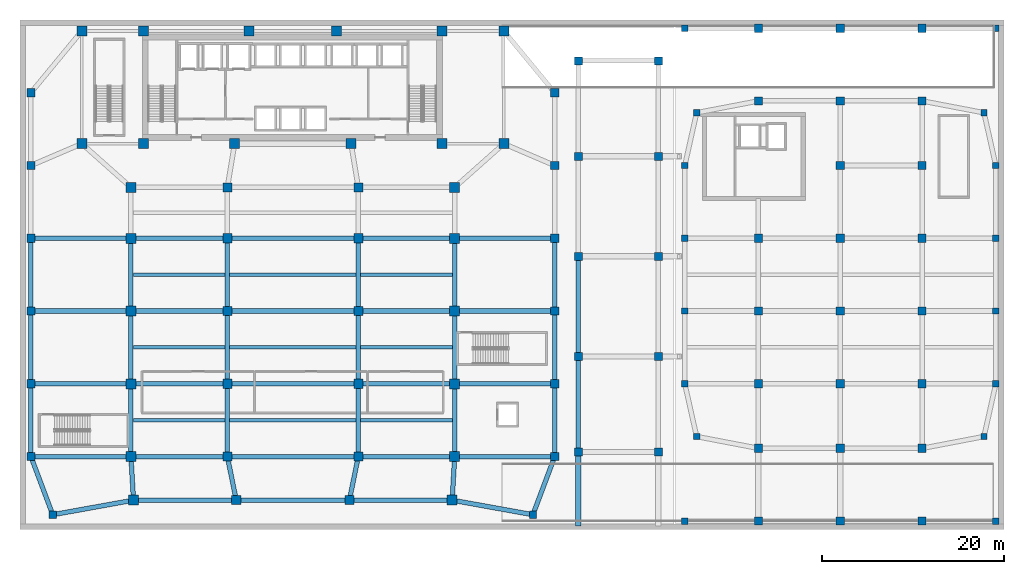
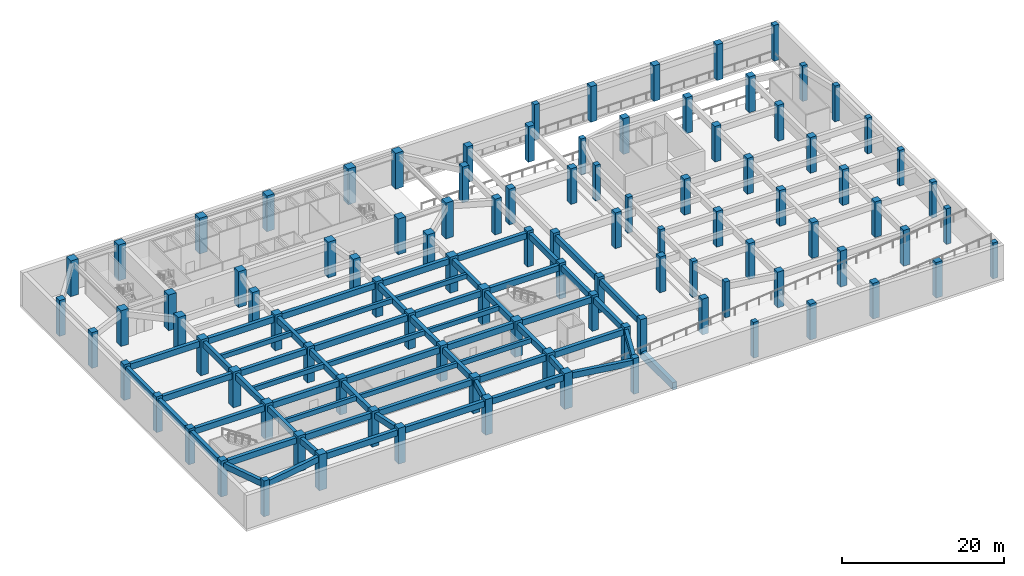
# One storey, part 1 of 14: 99 columns, 61 beams.
"""IFC4 building model written with IfcOpenShell, lengths in metres."""

from ifc_helpers import new_model, si_unit, direction, frame, origin, origin_2d, place, context, subcontext, project, spatial, rectangle, extrude, material, material_profile, profile_set, type_object, element, save


model = new_model("IFC4")

# Units and contexts
model_context = context("Model", 3, precision=1e-05, world=origin(), true_north=direction((0.0, 1.0)))
body_context = subcontext(model_context, "Body", "Model", "MODEL_VIEW")
ifc_project = project(units=[si_unit("LENGTHUNIT", "METRE"), si_unit("AREAUNIT", "SQUARE_METRE"), si_unit("VOLUMEUNIT", "CUBIC_METRE"), si_unit("PLANEANGLEUNIT", "RADIAN"), si_unit("MASSUNIT", "GRAM", prefix="KILO")], contexts=[model_context])

# Site, building, storey
site_placement = place(None, origin())
site = spatial("IfcSite", under=ifc_project, at=site_placement, CompositionType="ELEMENT")
building_placement = place(site_placement, origin())
building = spatial("IfcBuilding", under=site, at=building_placement, Name="Saevonmaru Cultural Tower", CompositionType="ELEMENT")
storey_placement = place(building_placement, frame((0.0, 0.0, -5.39990234375)))
storey = spatial("IfcBuildingStorey", under=building, at=storey_placement, Name="B1", CompositionType="ELEMENT", Elevation=-5.39990234375)

# Columns
ifc_material_1 = material(Name="Concrete C60/75", Category="concrete")
ifc_material_profile_1 = material_profile(ifc_material_1, rectangle(XDim=1.0, YDim=1.0, at=origin_2d()), Name="RC-COL-1000x1000")
ifc_profile_set_1 = profile_set([ifc_material_profile_1], Name="Concrete C60/75")
column_type_1 = type_object("IfcColumnType", Name="COL-RC-1000", PredefinedType="COLUMN", material=ifc_profile_set_1)
for number, where, z_axis, x_axis, name in (
    (1, (23.780029296875, 3.199951171875, 0.0), (0.0, 0.0, 1.0), (1.0, 0.0, 0.0), "B1 Column PC-W2-A"),
    (2, (36.219970703125, 3.199951171875, 0.0), (0.0, 0.0, 1.0), (1.0, 0.0, 0.0), "B1 Column PC-E2-A"),
    (3, (22.800048828125, 8.0, 0.0), (0.0, 0.0, 1.0), (1.0, 0.0, 0.0), "B1 Column PC-W2-B"),
    (4, (37.199951171875, 8.0, 0.0), (0.0, 0.0, 1.0), (1.0, 0.0, 0.0), "B1 Column PC-E2-B"),
    (5, (22.800048828125, 16.0, 0.0), (0.0, 0.0, 1.0), (1.0, 0.0, 0.0), "B1 Column PC-W2-C"),
    (6, (37.199951171875, 16.0, 0.0), (0.0, 0.0, 1.0), (1.0, 0.0, 0.0), "B1 Column PC-E2-C"),
    (7, (22.800048828125, 24.0, 0.0), (0.0, 0.0, 1.0), (1.0, 0.0, 0.0), "B1 Column PC-W2-D"),
    (8, (37.199951171875, 24.0, 0.0), (0.0, 0.0, 1.0), (1.0, 0.0, 0.0), "B1 Column PC-E2-D"),
    (9, (22.800048828125, 32.0, 0.0), (0.0, 0.0, 1.0), (1.0, 0.0, 0.0), "B1 Column PC-W2-E"),
    (10, (37.199951171875, 32.0, 0.0), (0.0, 0.0, 1.0), (1.0, 0.0, 0.0), "B1 Column PC-E2-E"),
    (11, (22.800048828125, 37.60009765625, 0.0), (0.0, 0.0, 1.0), (1.0, 0.0, 0.0), "B1 Column PC-W2-F"),
    (12, (37.199951171875, 37.60009765625, 0.0), (0.0, 0.0, 1.0), (1.0, 0.0, 0.0), "B1 Column PC-E2-F"),
):
    element("IfcColumn", number, at=place(storey_placement, frame(where, z_axis=z_axis, x_axis=x_axis)), inside=storey, type_object=column_type_1, Name=name, PredefinedType="COLUMN", context=body_context, shape_type="SweptSolid", body=[
        extrude(rectangle(XDim=1.0, YDim=1.0, at=origin_2d()), origin(), (0.0, 0.0, 1.0), 5.39990234375),
    ])
ifc_material_profile_2 = material_profile(ifc_material_1, rectangle(XDim=1.10009765625, YDim=1.10009765625, at=origin_2d()), Name="RC-COL-1100x1100")
ifc_profile_set_2 = profile_set([ifc_material_profile_2], Name="Concrete C60/75")
column_type_2 = type_object("IfcColumnType", Name="COL-RC-1100", PredefinedType="COLUMN", material=ifc_profile_set_2)
for number, where, z_axis, x_axis, name in (
    (13, (6.800048828125, 54.800048828125, 0.0), (0.0, 0.0, 1.0), (1.0, 0.0, 0.0), "B1 Column TC-N1N"),
    (14, (13.60009765625, 54.800048828125, 0.0), (0.0, 0.0, 1.0), (1.0, 0.0, 0.0), "B1 Column TC-N2N"),
    (15, (25.199951171875, 54.800048828125, 0.0), (0.0, 0.0, 1.0), (1.0, 0.0, 0.0), "B1 Column TC-N3N"),
    (16, (34.800048828125, 54.800048828125, 0.0), (0.0, 0.0, 1.0), (1.0, 0.0, 0.0), "B1 Column TC-N4N"),
    (17, (46.39990234375, 54.800048828125, 0.0), (0.0, 0.0, 1.0), (1.0, 0.0, 0.0), "B1 Column TC-N5N"),
    (18, (53.199951171875, 54.800048828125, 0.0), (0.0, 0.0, 1.0), (1.0, 0.0, 0.0), "B1 Column TC-N6N"),
    (19, (6.800048828125, 42.39990234375, 0.0), (0.0, 0.0, 1.0), (1.0, 0.0, 0.0), "B1 Column TC-S1C"),
    (20, (13.60009765625, 42.39990234375, 0.0), (0.0, 0.0, 1.0), (1.0, 0.0, 0.0), "B1 Column TC-S2C"),
    (21, (23.60009765625, 42.39990234375, 0.0), (0.0, 0.0, 1.0), (1.0, 0.0, 0.0), "B1 Column TC-S3C"),
    (22, (36.39990234375, 42.39990234375, 0.0), (0.0, 0.0, 1.0), (1.0, 0.0, 0.0), "B1 Column TC-S4C"),
    (23, (46.39990234375, 42.39990234375, 0.0), (0.0, 0.0, 1.0), (1.0, 0.0, 0.0), "B1 Column TC-S5C"),
    (24, (53.199951171875, 42.39990234375, 0.0), (0.0, 0.0, 1.0), (1.0, 0.0, 0.0), "B1 Column TC-S6C"),
    (25, (12.47998046875, 3.199951171875, 0.0), (0.0, 0.0, 1.0), (1.0, 0.0, 0.0), "B1 Column PC-W1-A"),
    (26, (47.52001953125, 3.199951171875, 0.0), (0.0, 0.0, 1.0), (1.0, 0.0, 0.0), "B1 Column PC-E1-A"),
    (27, (12.199951171875, 8.0, 0.0), (0.0, 0.0, 1.0), (1.0, 0.0, 0.0), "B1 Column PC-W1-B"),
    (28, (47.800048828125, 8.0, 0.0), (0.0, 0.0, 1.0), (1.0, 0.0, 0.0), "B1 Column PC-E1-B"),
    (29, (12.199951171875, 16.0, 0.0), (0.0, 0.0, 1.0), (1.0, 0.0, 0.0), "B1 Column PC-W1-C"),
    (30, (47.800048828125, 16.0, 0.0), (0.0, 0.0, 1.0), (1.0, 0.0, 0.0), "B1 Column PC-E1-C"),
    (31, (12.199951171875, 24.0, 0.0), (0.0, 0.0, 1.0), (1.0, 0.0, 0.0), "B1 Column PC-W1-D"),
    (32, (47.800048828125, 24.0, 0.0), (0.0, 0.0, 1.0), (1.0, 0.0, 0.0), "B1 Column PC-E1-D"),
    (33, (12.199951171875, 32.0, 0.0), (0.0, 0.0, 1.0), (1.0, 0.0, 0.0), "B1 Column PC-W1-E"),
    (34, (47.800048828125, 32.0, 0.0), (0.0, 0.0, 1.0), (1.0, 0.0, 0.0), "B1 Column PC-E1-E"),
    (35, (12.199951171875, 37.60009765625, 0.0), (0.0, 0.0, 1.0), (1.0, 0.0, 0.0), "B1 Column PC-W1-F"),
    (36, (47.800048828125, 37.60009765625, 0.0), (0.0, 0.0, 1.0), (1.0, 0.0, 0.0), "B1 Column PC-E1-F"),
):
    element("IfcColumn", number, at=place(storey_placement, frame(where, z_axis=z_axis, x_axis=x_axis)), inside=storey, type_object=column_type_2, Name=name, PredefinedType="COLUMN", context=body_context, shape_type="SweptSolid", body=[
        extrude(rectangle(XDim=1.10009765625, YDim=1.10009765625, at=origin_2d()), origin(), (0.0, 0.0, 1.0), 5.39990234375),
    ])
ifc_material_2 = material(Name="Concrete C50/60", Category="concrete")
ifc_material_profile_3 = material_profile(ifc_material_2, rectangle(XDim=0.699951171875, YDim=0.699951171875, at=origin_2d()), Name="RC-COL-700x700")
ifc_profile_set_3 = profile_set([ifc_material_profile_3], Name="Concrete C50/60")
column_type_3 = type_object("IfcColumnType", Name="COL-RC-700", PredefinedType="COLUMN", material=ifc_profile_set_3)
for number, where, z_axis, x_axis, name in (
    (37, (73.10009765625, 0.89990234375, 0.0), (0.0, 0.0, 1.0), (1.0, 0.0, 0.0), "B1 Column LC-9-A"),
    (38, (74.39990234375, 10.199951171875, 0.0), (0.0, 0.0, 1.0), (1.0, 0.0, 0.0), "B1 Column LC-9-B"),
    (39, (73.10009765625, 16.0, 0.0), (0.0, 0.0, 1.0), (1.0, 0.0, 0.0), "B1 Column LC-9-C"),
    (40, (73.10009765625, 24.0, 0.0), (0.0, 0.0, 1.0), (1.0, 0.0, 0.0), "B1 Column LC-9-D"),
    (41, (73.10009765625, 32.0, 0.0), (0.0, 0.0, 1.0), (1.0, 0.0, 0.0), "B1 Column LC-9-E"),
    (42, (73.10009765625, 40.0, 0.0), (0.0, 0.0, 1.0), (1.0, 0.0, 0.0), "B1 Column LC-9-F"),
    (43, (74.39990234375, 45.800048828125, 0.0), (0.0, 0.0, 1.0), (1.0, 0.0, 0.0), "B1 Column LC-9-G"),
    (44, (73.10009765625, 55.10009765625, 0.0), (0.0, 0.0, 1.0), (1.0, 0.0, 0.0), "B1 Column LC-9-H"),
    (45, (107.300048828125, 0.89990234375, 0.0), (0.0, 0.0, 1.0), (1.0, 0.0, 0.0), "B1 Column LC-13-A"),
    (46, (106.0, 10.199951171875, 0.0), (0.0, 0.0, 1.0), (1.0, 0.0, 0.0), "B1 Column LC-13-B"),
    (47, (107.300048828125, 16.0, 0.0), (0.0, 0.0, 1.0), (1.0, 0.0, 0.0), "B1 Column LC-13-C"),
    (48, (107.300048828125, 24.0, 0.0), (0.0, 0.0, 1.0), (1.0, 0.0, 0.0), "B1 Column LC-13-D"),
    (49, (107.300048828125, 32.0, 0.0), (0.0, 0.0, 1.0), (1.0, 0.0, 0.0), "B1 Column LC-13-E"),
    (50, (107.300048828125, 40.0, 0.0), (0.0, 0.0, 1.0), (1.0, 0.0, 0.0), "B1 Column LC-13-F"),
    (51, (106.0, 45.800048828125, 0.0), (0.0, 0.0, 1.0), (1.0, 0.0, 0.0), "B1 Column LC-13-G"),
    (52, (107.300048828125, 55.10009765625, 0.0), (0.0, 0.0, 1.0), (1.0, 0.0, 0.0), "B1 Column LC-13-H"),
):
    element("IfcColumn", number, at=place(storey_placement, frame(where, z_axis=z_axis, x_axis=x_axis)), inside=storey, type_object=column_type_3, Name=name, PredefinedType="COLUMN", context=body_context, shape_type="SweptSolid", body=[
        extrude(rectangle(XDim=0.699951171875, YDim=0.699951171875, at=origin_2d()), origin(), (0.0, 0.0, 1.0), 5.39990234375),
    ])
ifc_material_profile_4 = material_profile(ifc_material_2, rectangle(XDim=0.800048828125, YDim=0.800048828125, at=origin_2d()), Name="RC-COL-800x800")
ifc_profile_set_4 = profile_set([ifc_material_profile_4], Name="Concrete C50/60")
column_type_4 = type_object("IfcColumnType", Name="COL-RC-800", PredefinedType="COLUMN", material=ifc_profile_set_4)
for number, where, z_axis, x_axis, name in (
    (53, (3.60009765625, 1.60009765625, 0.0), (0.0, 0.0, 1.0), (1.0, 0.0, 0.0), "B1 Column PC-PS-SW"),
    (54, (56.39990234375, 1.60009765625, 0.0), (0.0, 0.0, 1.0), (1.0, 0.0, 0.0), "B1 Column PC-PS-SE"),
):
    element("IfcColumn", number, at=place(storey_placement, frame(where, z_axis=z_axis, x_axis=x_axis)), inside=storey, type_object=column_type_4, Name=name, PredefinedType="COLUMN", context=body_context, shape_type="SweptSolid", body=[
        extrude(rectangle(XDim=0.800048828125, YDim=0.800048828125, at=origin_2d()), origin(), (0.0, 0.0, 1.0), 5.39990234375),
    ])
ifc_material_profile_5 = material_profile(ifc_material_2, rectangle(XDim=0.89990234375, YDim=0.89990234375, at=origin_2d()), Name="RC-COL-900x900")
ifc_profile_set_5 = profile_set([ifc_material_profile_5], Name="Concrete C50/60")
column_type_5 = type_object("IfcColumnType", Name="COL-RC-900", PredefinedType="COLUMN", material=ifc_profile_set_5)
for number, where, z_axis, x_axis, name in (
    (55, (1.199951171875, 8.0, 0.0), (0.0, 0.0, 1.0), (1.0, 0.0, 0.0), "B1 Column PC-PW-B"),
    (56, (58.800048828125, 8.0, 0.0), (0.0, 0.0, 1.0), (1.0, 0.0, 0.0), "B1 Column PC-PE-B"),
    (57, (1.199951171875, 16.0, 0.0), (0.0, 0.0, 1.0), (1.0, 0.0, 0.0), "B1 Column PC-PW-C"),
    (58, (58.800048828125, 16.0, 0.0), (0.0, 0.0, 1.0), (1.0, 0.0, 0.0), "B1 Column PC-PE-C"),
    (59, (1.199951171875, 24.0, 0.0), (0.0, 0.0, 1.0), (1.0, 0.0, 0.0), "B1 Column PC-PW-D"),
    (60, (58.800048828125, 24.0, 0.0), (0.0, 0.0, 1.0), (1.0, 0.0, 0.0), "B1 Column PC-PE-D"),
    (61, (1.199951171875, 32.0, 0.0), (0.0, 0.0, 1.0), (1.0, 0.0, 0.0), "B1 Column PC-PW-E"),
    (62, (58.800048828125, 32.0, 0.0), (0.0, 0.0, 1.0), (1.0, 0.0, 0.0), "B1 Column PC-PE-E"),
    (63, (1.199951171875, 40.0, 0.0), (0.0, 0.0, 1.0), (1.0, 0.0, 0.0), "B1 Column PC-PW-F"),
    (64, (58.800048828125, 40.0, 0.0), (0.0, 0.0, 1.0), (1.0, 0.0, 0.0), "B1 Column PC-PE-F"),
    (65, (1.199951171875, 48.0, 0.0), (0.0, 0.0, 1.0), (1.0, 0.0, 0.0), "B1 Column PC-PW-G"),
    (66, (58.800048828125, 48.0, 0.0), (0.0, 0.0, 1.0), (1.0, 0.0, 0.0), "B1 Column PC-PE-G"),
    (67, (61.39990234375, 8.5, 0.0), (0.0, 0.0, 1.0), (1.0, 0.0, 0.0), "B1 Column SC-PLZW-B"),
    (68, (70.199951171875, 8.5, 0.0), (0.0, 0.0, 1.0), (1.0, 0.0, 0.0), "B1 Column SC-PLZE-B"),
    (69, (61.39990234375, 19.0, 0.0), (0.0, 0.0, 1.0), (1.0, 0.0, 0.0), "B1 Column SC-PLZW-C"),
    (70, (70.199951171875, 19.0, 0.0), (0.0, 0.0, 1.0), (1.0, 0.0, 0.0), "B1 Column SC-PLZE-C"),
    (71, (61.39990234375, 30.0, 0.0), (0.0, 0.0, 1.0), (1.0, 0.0, 0.0), "B1 Column SC-PLZW-D"),
    (72, (70.199951171875, 30.0, 0.0), (0.0, 0.0, 1.0), (1.0, 0.0, 0.0), "B1 Column SC-PLZE-D"),
    (73, (61.39990234375, 41.0, 0.0), (0.0, 0.0, 1.0), (1.0, 0.0, 0.0), "B1 Column SC-PLZW-E"),
    (74, (70.199951171875, 41.0, 0.0), (0.0, 0.0, 1.0), (1.0, 0.0, 0.0), "B1 Column SC-PLZE-E"),
    (75, (61.39990234375, 51.5, 0.0), (0.0, 0.0, 1.0), (1.0, 0.0, 0.0), "B1 Column SC-PLZW-F"),
    (76, (70.199951171875, 51.5, 0.0), (0.0, 0.0, 1.0), (1.0, 0.0, 0.0), "B1 Column SC-PLZE-F"),
    (77, (81.199951171875, 0.89990234375, 0.0), (0.0, 0.0, 1.0), (1.0, 0.0, 0.0), "B1 Column LC-10-A"),
    (78, (81.199951171875, 8.89990234375, 0.0), (0.0, 0.0, 1.0), (1.0, 0.0, 0.0), "B1 Column LC-10-B"),
    (79, (81.199951171875, 16.0, 0.0), (0.0, 0.0, 1.0), (1.0, 0.0, 0.0), "B1 Column LC-10-C"),
    (80, (81.199951171875, 24.0, 0.0), (0.0, 0.0, 1.0), (1.0, 0.0, 0.0), "B1 Column LC-10-D"),
    (81, (81.199951171875, 32.0, 0.0), (0.0, 0.0, 1.0), (1.0, 0.0, 0.0), "B1 Column LC-10-E"),
    (82, (81.199951171875, 47.10009765625, 0.0), (0.0, 0.0, 1.0), (1.0, 0.0, 0.0), "B1 Column LC-10-G"),
    (83, (81.199951171875, 55.10009765625, 0.0), (0.0, 0.0, 1.0), (1.0, 0.0, 0.0), "B1 Column LC-10-H"),
    (84, (90.199951171875, 0.89990234375, 0.0), (0.0, 0.0, 1.0), (1.0, 0.0, 0.0), "B1 Column LC-11-A"),
    (85, (90.199951171875, 8.89990234375, 0.0), (0.0, 0.0, 1.0), (1.0, 0.0, 0.0), "B1 Column LC-11-B"),
    (86, (90.199951171875, 16.0, 0.0), (0.0, 0.0, 1.0), (1.0, 0.0, 0.0), "B1 Column LC-11-C"),
    (87, (90.199951171875, 24.0, 0.0), (0.0, 0.0, 1.0), (1.0, 0.0, 0.0), "B1 Column LC-11-D"),
    (88, (90.199951171875, 32.0, 0.0), (0.0, 0.0, 1.0), (1.0, 0.0, 0.0), "B1 Column LC-11-E"),
    (89, (90.199951171875, 40.0, 0.0), (0.0, 0.0, 1.0), (1.0, 0.0, 0.0), "B1 Column LC-11-F"),
    (90, (90.199951171875, 47.10009765625, 0.0), (0.0, 0.0, 1.0), (1.0, 0.0, 0.0), "B1 Column LC-11-G"),
    (91, (90.199951171875, 55.10009765625, 0.0), (0.0, 0.0, 1.0), (1.0, 0.0, 0.0), "B1 Column LC-11-H"),
    (92, (99.199951171875, 0.89990234375, 0.0), (0.0, 0.0, 1.0), (1.0, 0.0, 0.0), "B1 Column LC-12-A"),
    (93, (99.199951171875, 8.89990234375, 0.0), (0.0, 0.0, 1.0), (1.0, 0.0, 0.0), "B1 Column LC-12-B"),
    (94, (99.199951171875, 16.0, 0.0), (0.0, 0.0, 1.0), (1.0, 0.0, 0.0), "B1 Column LC-12-C"),
    (95, (99.199951171875, 24.0, 0.0), (0.0, 0.0, 1.0), (1.0, 0.0, 0.0), "B1 Column LC-12-D"),
    (96, (99.199951171875, 32.0, 0.0), (0.0, 0.0, 1.0), (1.0, 0.0, 0.0), "B1 Column LC-12-E"),
    (97, (99.199951171875, 40.0, 0.0), (0.0, 0.0, 1.0), (1.0, 0.0, 0.0), "B1 Column LC-12-F"),
    (98, (99.199951171875, 47.10009765625, 0.0), (0.0, 0.0, 1.0), (1.0, 0.0, 0.0), "B1 Column LC-12-G"),
    (99, (99.199951171875, 55.10009765625, 0.0), (0.0, 0.0, 1.0), (1.0, 0.0, 0.0), "B1 Column LC-12-H"),
):
    element("IfcColumn", number, at=place(storey_placement, frame(where, z_axis=z_axis, x_axis=x_axis)), inside=storey, type_object=column_type_5, Name=name, PredefinedType="COLUMN", context=body_context, shape_type="SweptSolid", body=[
        extrude(rectangle(XDim=0.89990234375, YDim=0.89990234375, at=origin_2d()), origin(), (0.0, 0.0, 1.0), 5.39990234375),
    ])

# Beams
ifc_material_profile_6 = material_profile(ifc_material_1, rectangle(XDim=0.60009765625, YDim=1.10009765625, at=origin_2d()), Name="RC-CB-600x1100")
ifc_profile_set_6 = profile_set([ifc_material_profile_6], Name="Concrete C60/75")
beam_type_1 = type_object("IfcBeamType", Name="BM-CB-RC600x1100", PredefinedType="LINTEL", material=ifc_profile_set_6)
beam_1_placement = place(storey_placement, frame((61.39990234375, 0.360107421875, -0.06005859375), z_axis=(0.0, 1.0, 0.0), x_axis=(-1.0, 0.0, 0.0)))
element("IfcBeam", 100, at=beam_1_placement, inside=storey, type_object=beam_type_1, Name="B1 Vehicle Ramp VR-1 Transverse Support Girder 1", PredefinedType="LINTEL", context=body_context, shape_type="SweptSolid", body=[
    extrude(rectangle(XDim=0.60009765625, YDim=1.10009765625, at=origin_2d()), origin(), (0.0, 0.0, 1.0), 8.079833984375),
])
ifc_material_3 = material(Name="Concrete C40/50", Category="concrete")
ifc_material_profile_7 = material_profile(ifc_material_3, rectangle(XDim=0.39990234375, YDim=0.699951171875, at=origin_2d()), Name="RC-BM-400x700")
ifc_profile_set_7 = profile_set([ifc_material_profile_7], Name="Concrete C40/50")
beam_type_2 = type_object("IfcBeamType", Name="BM-RC-400x700", PredefinedType="BEAM", material=ifc_profile_set_7)
for number, where, z_axis, x_axis, name in (
    (101, (12.4580078125, 12.0, 4.699951171875), (1.0, 0.0, 0.0), (0.0, 1.0, 0.0), "B1 Secondary Floor Joist JW-1"),
    (102, (37.4580078125, 12.0, 4.699951171875), (1.0, 0.0, 0.0), (0.0, 1.0, 0.0), "B1 Secondary Floor Joist JE-1"),
):
    element("IfcBeam", number, at=place(storey_placement, frame(where, z_axis=z_axis, x_axis=x_axis)), inside=storey, type_object=beam_type_2, Name=name, PredefinedType="BEAM", context=body_context, shape_type="SweptSolid", body=[
        extrude(rectangle(XDim=0.39990234375, YDim=0.699951171875, at=origin_2d()), origin(), (0.0, 0.0, 1.0), 10.083984375),
    ])
beam_2_placement = place(storey_placement, frame((23.05810546875, 12.0, 4.699951171875), z_axis=(1.0, 0.0, 0.0), x_axis=(0.0, 1.0, 0.0)))
element("IfcBeam", 103, at=beam_2_placement, inside=storey, type_object=beam_type_2, Name="B1 Secondary Floor Joist JC-1", PredefinedType="BEAM", context=body_context, shape_type="SweptSolid", body=[
    extrude(rectangle(XDim=0.39990234375, YDim=0.699951171875, at=origin_2d()), origin(), (0.0, 0.0, 1.0), 13.8837890625),
])
for number, where, z_axis, x_axis, name in (
    (104, (12.4580078125, 20.0, 4.699951171875), (1.0, 0.0, 0.0), (0.0, 1.0, 0.0), "B1 Secondary Floor Joist JW-2"),
    (105, (37.4580078125, 20.0, 4.699951171875), (1.0, 0.0, 0.0), (0.0, 1.0, 0.0), "B1 Secondary Floor Joist JE-2"),
):
    element("IfcBeam", number, at=place(storey_placement, frame(where, z_axis=z_axis, x_axis=x_axis)), inside=storey, type_object=beam_type_2, Name=name, PredefinedType="BEAM", context=body_context, shape_type="SweptSolid", body=[
        extrude(rectangle(XDim=0.39990234375, YDim=0.699951171875, at=origin_2d()), origin(), (0.0, 0.0, 1.0), 10.083984375),
    ])
beam_3_placement = place(storey_placement, frame((23.05810546875, 20.0, 4.699951171875), z_axis=(1.0, 0.0, 0.0), x_axis=(0.0, 1.0, 0.0)))
element("IfcBeam", 106, at=beam_3_placement, inside=storey, type_object=beam_type_2, Name="B1 Secondary Floor Joist JC-2", PredefinedType="BEAM", context=body_context, shape_type="SweptSolid", body=[
    extrude(rectangle(XDim=0.39990234375, YDim=0.699951171875, at=origin_2d()), origin(), (0.0, 0.0, 1.0), 13.8837890625),
])
for number, where, z_axis, x_axis, name in (
    (107, (12.4580078125, 28.0, 4.699951171875), (1.0, 0.0, 0.0), (0.0, 1.0, 0.0), "B1 Secondary Floor Joist JW-3"),
    (108, (37.4580078125, 28.0, 4.699951171875), (1.0, 0.0, 0.0), (0.0, 1.0, 0.0), "B1 Secondary Floor Joist JE-3"),
):
    element("IfcBeam", number, at=place(storey_placement, frame(where, z_axis=z_axis, x_axis=x_axis)), inside=storey, type_object=beam_type_2, Name=name, PredefinedType="BEAM", context=body_context, shape_type="SweptSolid", body=[
        extrude(rectangle(XDim=0.39990234375, YDim=0.699951171875, at=origin_2d()), origin(), (0.0, 0.0, 1.0), 10.083984375),
    ])
beam_4_placement = place(storey_placement, frame((23.05810546875, 28.0, 4.699951171875), z_axis=(1.0, 0.0, 0.0), x_axis=(0.0, 1.0, 0.0)))
element("IfcBeam", 109, at=beam_4_placement, inside=storey, type_object=beam_type_2, Name="B1 Secondary Floor Joist JC-3", PredefinedType="BEAM", context=body_context, shape_type="SweptSolid", body=[
    extrude(rectangle(XDim=0.39990234375, YDim=0.699951171875, at=origin_2d()), origin(), (0.0, 0.0, 1.0), 13.8837890625),
])
ifc_material_profile_8 = material_profile(ifc_material_2, rectangle(XDim=0.5, YDim=0.89990234375, at=origin_2d()), Name="RC-BM-500x900")
ifc_profile_set_8 = profile_set([ifc_material_profile_8], Name="Concrete C50/60")
beam_type_3 = type_object("IfcBeamType", Name="BM-RC-500x900", PredefinedType="BEAM", material=ifc_profile_set_8)
beam_5_placement = place(storey_placement, frame((12.4765625, 3.260009765625, 4.599853515625), z_axis=(-0.058221363278, 0.998303697708, 0.0), x_axis=(-0.998303697708, -0.058221363278, 0.0)))
element("IfcBeam", 110, at=beam_5_placement, inside=storey, type_object=beam_type_3, Name="B1 Podium Girder NS1-1", PredefinedType="BEAM", context=body_context, shape_type="SweptSolid", body=[
    extrude(rectangle(XDim=0.5, YDim=0.89990234375, at=origin_2d()), origin(), (0.0, 0.0, 1.0), 4.688232421875),
])
for number, where, z_axis, x_axis, name in (
    (111, (12.199951171875, 8.06005859375, 4.599853515625), (0.0, 1.0, 0.0), (-1.0, 0.0, 0.0), "B1 Podium Girder NS1-2"),
    (112, (12.199951171875, 16.06005859375, 4.599853515625), (0.0, 1.0, 0.0), (-1.0, 0.0, 0.0), "B1 Podium Girder NS1-3"),
    (113, (12.199951171875, 24.06005859375, 4.599853515625), (0.0, 1.0, 0.0), (-1.0, 0.0, 0.0), "B1 Podium Girder NS1-4"),
):
    element("IfcBeam", number, at=place(storey_placement, frame(where, z_axis=z_axis, x_axis=x_axis)), inside=storey, type_object=beam_type_3, Name=name, PredefinedType="BEAM", context=body_context, shape_type="SweptSolid", body=[
        extrude(rectangle(XDim=0.5, YDim=0.89990234375, at=origin_2d()), origin(), (0.0, 0.0, 1.0), 7.8798828125),
    ])
beam_6_placement = place(storey_placement, frame((23.76806640625, 3.2587890625, 4.599853515625), z_axis=(-0.200054094908, 0.979784853481, 0.0), x_axis=(-0.979784853481, -0.200054094908, 0.0)))
element("IfcBeam", 114, at=beam_6_placement, inside=storey, type_object=beam_type_3, Name="B1 Podium Girder NS2-1", PredefinedType="BEAM", context=body_context, shape_type="SweptSolid", body=[
    extrude(rectangle(XDim=0.5, YDim=0.89990234375, at=origin_2d()), origin(), (0.0, 0.0, 1.0), 4.779052734375),
])
for number, where, z_axis, x_axis, name in (
    (115, (22.800048828125, 8.06005859375, 4.599853515625), (0.0, 1.0, 0.0), (-1.0, 0.0, 0.0), "B1 Podium Girder NS2-2"),
    (116, (22.800048828125, 16.06005859375, 4.599853515625), (0.0, 1.0, 0.0), (-1.0, 0.0, 0.0), "B1 Podium Girder NS2-3"),
    (117, (22.800048828125, 24.06005859375, 4.599853515625), (0.0, 1.0, 0.0), (-1.0, 0.0, 0.0), "B1 Podium Girder NS2-4"),
):
    element("IfcBeam", number, at=place(storey_placement, frame(where, z_axis=z_axis, x_axis=x_axis)), inside=storey, type_object=beam_type_3, Name=name, PredefinedType="BEAM", context=body_context, shape_type="SweptSolid", body=[
        extrude(rectangle(XDim=0.5, YDim=0.89990234375, at=origin_2d()), origin(), (0.0, 0.0, 1.0), 7.8798828125),
    ])
beam_7_placement = place(storey_placement, frame((36.23193359375, 3.2587890625, 4.599853515625), z_axis=(0.200054094908, 0.979784853481, 0.0), x_axis=(-0.979784853481, 0.200054094908, 0.0)))
element("IfcBeam", 118, at=beam_7_placement, inside=storey, type_object=beam_type_3, Name="B1 Podium Girder NS3-1", PredefinedType="BEAM", context=body_context, shape_type="SweptSolid", body=[
    extrude(rectangle(XDim=0.5, YDim=0.89990234375, at=origin_2d()), origin(), (0.0, 0.0, 1.0), 4.779052734375),
])
for number, where, z_axis, x_axis, name in (
    (119, (37.199951171875, 8.06005859375, 4.599853515625), (0.0, 1.0, 0.0), (-1.0, 0.0, 0.0), "B1 Podium Girder NS3-2"),
    (120, (37.199951171875, 16.06005859375, 4.599853515625), (0.0, 1.0, 0.0), (-1.0, 0.0, 0.0), "B1 Podium Girder NS3-3"),
    (121, (37.199951171875, 24.06005859375, 4.599853515625), (0.0, 1.0, 0.0), (-1.0, 0.0, 0.0), "B1 Podium Girder NS3-4"),
):
    element("IfcBeam", number, at=place(storey_placement, frame(where, z_axis=z_axis, x_axis=x_axis)), inside=storey, type_object=beam_type_3, Name=name, PredefinedType="BEAM", context=body_context, shape_type="SweptSolid", body=[
        extrude(rectangle(XDim=0.5, YDim=0.89990234375, at=origin_2d()), origin(), (0.0, 0.0, 1.0), 7.8798828125),
    ])
beam_8_placement = place(storey_placement, frame((47.5234375, 3.260009765625, 4.599853515625), z_axis=(0.058221363278, 0.998303697708, 0.0), x_axis=(-0.998303697708, 0.058221363278, 0.0)))
element("IfcBeam", 122, at=beam_8_placement, inside=storey, type_object=beam_type_3, Name="B1 Podium Girder NS4-1", PredefinedType="BEAM", context=body_context, shape_type="SweptSolid", body=[
    extrude(rectangle(XDim=0.5, YDim=0.89990234375, at=origin_2d()), origin(), (0.0, 0.0, 1.0), 4.688232421875),
])
for number, where, z_axis, x_axis, name in (
    (123, (47.800048828125, 8.06005859375, 4.599853515625), (0.0, 1.0, 0.0), (-1.0, 0.0, 0.0), "B1 Podium Girder NS4-2"),
    (124, (47.800048828125, 16.06005859375, 4.599853515625), (0.0, 1.0, 0.0), (-1.0, 0.0, 0.0), "B1 Podium Girder NS4-3"),
    (125, (47.800048828125, 24.06005859375, 4.599853515625), (0.0, 1.0, 0.0), (-1.0, 0.0, 0.0), "B1 Podium Girder NS4-4"),
):
    element("IfcBeam", number, at=place(storey_placement, frame(where, z_axis=z_axis, x_axis=x_axis)), inside=storey, type_object=beam_type_3, Name=name, PredefinedType="BEAM", context=body_context, shape_type="SweptSolid", body=[
        extrude(rectangle(XDim=0.5, YDim=0.89990234375, at=origin_2d()), origin(), (0.0, 0.0, 1.0), 7.8798828125),
    ])
beam_9_placement = place(storey_placement, frame((12.5400390625, 3.199951171875, 4.599853515625), z_axis=(1.0, 0.0, 0.0), x_axis=(0.0, 1.0, 0.0)))
element("IfcBeam", 126, at=beam_9_placement, inside=storey, type_object=beam_type_3, Name="BM-POD-EW-W-0-B1", PredefinedType="BEAM", context=body_context, shape_type="SweptSolid", body=[
    extrude(rectangle(XDim=0.5, YDim=0.89990234375, at=origin_2d()), origin(), (0.0, 0.0, 1.0), 11.179931640625),
])
beam_10_placement = place(storey_placement, frame((23.840087890625, 3.199951171875, 4.599853515625), z_axis=(1.0, 0.0, 0.0), x_axis=(0.0, 1.0, 0.0)))
element("IfcBeam", 127, at=beam_10_placement, inside=storey, type_object=beam_type_3, Name="BM-POD-EW-C-0-B1", PredefinedType="BEAM", context=body_context, shape_type="SweptSolid", body=[
    extrude(rectangle(XDim=0.5, YDim=0.89990234375, at=origin_2d()), origin(), (0.0, 0.0, 1.0), 12.31982421875),
])
beam_11_placement = place(storey_placement, frame((36.280029296875, 3.199951171875, 4.599853515625), z_axis=(1.0, 0.0, 0.0), x_axis=(0.0, 1.0, 0.0)))
element("IfcBeam", 128, at=beam_11_placement, inside=storey, type_object=beam_type_3, Name="BM-POD-EW-E-0-B1", PredefinedType="BEAM", context=body_context, shape_type="SweptSolid", body=[
    extrude(rectangle(XDim=0.5, YDim=0.89990234375, at=origin_2d()), origin(), (0.0, 0.0, 1.0), 11.179931640625),
])
for number, where, z_axis, x_axis, name in (
    (129, (12.260009765625, 8.0, 4.599853515625), (1.0, 0.0, 0.0), (0.0, 1.0, 0.0), "B1 Gallery Girder W-1"),
    (130, (37.260009765625, 8.0, 4.599853515625), (1.0, 0.0, 0.0), (0.0, 1.0, 0.0), "B1 Gallery Girder E-1"),
):
    element("IfcBeam", number, at=place(storey_placement, frame(where, z_axis=z_axis, x_axis=x_axis)), inside=storey, type_object=beam_type_3, Name=name, PredefinedType="BEAM", context=body_context, shape_type="SweptSolid", body=[
        extrude(rectangle(XDim=0.5, YDim=0.89990234375, at=origin_2d()), origin(), (0.0, 0.0, 1.0), 10.47998046875),
    ])
beam_12_placement = place(storey_placement, frame((22.860107421875, 8.0, 4.599853515625), z_axis=(1.0, 0.0, 0.0), x_axis=(0.0, 1.0, 0.0)))
element("IfcBeam", 131, at=beam_12_placement, inside=storey, type_object=beam_type_3, Name="B1 Long-Span Hall Girder C-1", PredefinedType="BEAM", context=body_context, shape_type="SweptSolid", body=[
    extrude(rectangle(XDim=0.5, YDim=0.89990234375, at=origin_2d()), origin(), (0.0, 0.0, 1.0), 14.27978515625),
])
for number, where, z_axis, x_axis, name in (
    (132, (12.260009765625, 16.0, 4.599853515625), (1.0, 0.0, 0.0), (0.0, 1.0, 0.0), "B1 Gallery Girder W-2"),
    (133, (37.260009765625, 16.0, 4.599853515625), (1.0, 0.0, 0.0), (0.0, 1.0, 0.0), "B1 Gallery Girder E-2"),
):
    element("IfcBeam", number, at=place(storey_placement, frame(where, z_axis=z_axis, x_axis=x_axis)), inside=storey, type_object=beam_type_3, Name=name, PredefinedType="BEAM", context=body_context, shape_type="SweptSolid", body=[
        extrude(rectangle(XDim=0.5, YDim=0.89990234375, at=origin_2d()), origin(), (0.0, 0.0, 1.0), 10.47998046875),
    ])
beam_13_placement = place(storey_placement, frame((22.860107421875, 16.0, 4.599853515625), z_axis=(1.0, 0.0, 0.0), x_axis=(0.0, 1.0, 0.0)))
element("IfcBeam", 134, at=beam_13_placement, inside=storey, type_object=beam_type_3, Name="B1 Long-Span Hall Girder C-2", PredefinedType="BEAM", context=body_context, shape_type="SweptSolid", body=[
    extrude(rectangle(XDim=0.5, YDim=0.89990234375, at=origin_2d()), origin(), (0.0, 0.0, 1.0), 14.27978515625),
])
for number, where, z_axis, x_axis, name in (
    (135, (12.260009765625, 24.0, 4.599853515625), (1.0, 0.0, 0.0), (0.0, 1.0, 0.0), "B1 Gallery Girder W-3"),
    (136, (37.260009765625, 24.0, 4.599853515625), (1.0, 0.0, 0.0), (0.0, 1.0, 0.0), "B1 Gallery Girder E-3"),
):
    element("IfcBeam", number, at=place(storey_placement, frame(where, z_axis=z_axis, x_axis=x_axis)), inside=storey, type_object=beam_type_3, Name=name, PredefinedType="BEAM", context=body_context, shape_type="SweptSolid", body=[
        extrude(rectangle(XDim=0.5, YDim=0.89990234375, at=origin_2d()), origin(), (0.0, 0.0, 1.0), 10.47998046875),
    ])
beam_14_placement = place(storey_placement, frame((22.860107421875, 24.0, 4.599853515625), z_axis=(1.0, 0.0, 0.0), x_axis=(0.0, 1.0, 0.0)))
element("IfcBeam", 137, at=beam_14_placement, inside=storey, type_object=beam_type_3, Name="B1 Long-Span Hall Girder C-3", PredefinedType="BEAM", context=body_context, shape_type="SweptSolid", body=[
    extrude(rectangle(XDim=0.5, YDim=0.89990234375, at=origin_2d()), origin(), (0.0, 0.0, 1.0), 14.27978515625),
])
for number, where, z_axis, x_axis, name in (
    (138, (12.260009765625, 32.0, 4.599853515625), (1.0, 0.0, 0.0), (0.0, 1.0, 0.0), "B1 Gallery Girder W-4"),
    (139, (37.260009765625, 32.0, 4.599853515625), (1.0, 0.0, 0.0), (0.0, 1.0, 0.0), "B1 Gallery Girder E-4"),
):
    element("IfcBeam", number, at=place(storey_placement, frame(where, z_axis=z_axis, x_axis=x_axis)), inside=storey, type_object=beam_type_3, Name=name, PredefinedType="BEAM", context=body_context, shape_type="SweptSolid", body=[
        extrude(rectangle(XDim=0.5, YDim=0.89990234375, at=origin_2d()), origin(), (0.0, 0.0, 1.0), 10.47998046875),
    ])
beam_15_placement = place(storey_placement, frame((22.860107421875, 32.0, 4.599853515625), z_axis=(1.0, 0.0, 0.0), x_axis=(0.0, 1.0, 0.0)))
element("IfcBeam", 140, at=beam_15_placement, inside=storey, type_object=beam_type_3, Name="B1 Long-Span Hall Girder C-4", PredefinedType="BEAM", context=body_context, shape_type="SweptSolid", body=[
    extrude(rectangle(XDim=0.5, YDim=0.89990234375, at=origin_2d()), origin(), (0.0, 0.0, 1.0), 14.27978515625),
])
for number, where, z_axis, x_axis, name in (
    (141, (1.260009765625, 8.0, 4.599853515625), (1.0, 0.0, 0.0), (0.0, 1.0, 0.0), "BM-POD-OW-1-B1"),
    (142, (47.860107421875, 8.0, 4.599853515625), (1.0, 0.0, 0.0), (0.0, 1.0, 0.0), "BM-POD-OE-1-B1"),
    (143, (1.260009765625, 16.0, 4.599853515625), (1.0, 0.0, 0.0), (0.0, 1.0, 0.0), "BM-POD-OW-2-B1"),
    (144, (47.860107421875, 16.0, 4.599853515625), (1.0, 0.0, 0.0), (0.0, 1.0, 0.0), "BM-POD-OE-2-B1"),
    (145, (1.260009765625, 24.0, 4.599853515625), (1.0, 0.0, 0.0), (0.0, 1.0, 0.0), "BM-POD-OW-3-B1"),
    (146, (47.860107421875, 24.0, 4.599853515625), (1.0, 0.0, 0.0), (0.0, 1.0, 0.0), "BM-POD-OE-3-B1"),
    (147, (1.260009765625, 32.0, 4.599853515625), (1.0, 0.0, 0.0), (0.0, 1.0, 0.0), "BM-POD-OW-4-B1"),
    (148, (47.860107421875, 32.0, 4.599853515625), (1.0, 0.0, 0.0), (0.0, 1.0, 0.0), "BM-POD-OE-4-B1"),
):
    element("IfcBeam", number, at=place(storey_placement, frame(where, z_axis=z_axis, x_axis=x_axis)), inside=storey, type_object=beam_type_3, Name=name, PredefinedType="BEAM", context=body_context, shape_type="SweptSolid", body=[
        extrude(rectangle(XDim=0.5, YDim=0.89990234375, at=origin_2d()), origin(), (0.0, 0.0, 1.0), 10.8798828125),
    ])
for number, where, z_axis, x_axis, name in (
    (149, (1.199951171875, 8.06005859375, 4.599853515625), (0.0, 1.0, 0.0), (-1.0, 0.0, 0.0), "BM-POD-PW-1-B1"),
    (150, (58.800048828125, 8.06005859375, 4.599853515625), (0.0, 1.0, 0.0), (-1.0, 0.0, 0.0), "BM-POD-PE-1-B1"),
    (151, (1.199951171875, 16.06005859375, 4.599853515625), (0.0, 1.0, 0.0), (-1.0, 0.0, 0.0), "BM-POD-PW-2-B1"),
    (152, (58.800048828125, 16.06005859375, 4.599853515625), (0.0, 1.0, 0.0), (-1.0, 0.0, 0.0), "BM-POD-PE-2-B1"),
    (153, (1.199951171875, 24.06005859375, 4.599853515625), (0.0, 1.0, 0.0), (-1.0, 0.0, 0.0), "BM-POD-PW-3-B1"),
    (154, (58.800048828125, 24.06005859375, 4.599853515625), (0.0, 1.0, 0.0), (-1.0, 0.0, 0.0), "BM-POD-PE-3-B1"),
):
    element("IfcBeam", number, at=place(storey_placement, frame(where, z_axis=z_axis, x_axis=x_axis)), inside=storey, type_object=beam_type_3, Name=name, PredefinedType="BEAM", context=body_context, shape_type="SweptSolid", body=[
        extrude(rectangle(XDim=0.5, YDim=0.89990234375, at=origin_2d()), origin(), (0.0, 0.0, 1.0), 7.8798828125),
    ])
for number, where, z_axis, x_axis, name in (
    (155, (3.658935546875, 1.610595703125, 4.599853515625), (0.984149934695, 0.177338394151, 0.0), (-0.177338394151, 0.984149934695, 0.0), "BM-POD-PS-1-B1"),
    (156, (47.5791015625, 3.189453125, 4.599853515625), (0.984149934695, -0.177338394151, 0.0), (0.177338394151, 0.984149934695, 0.0), "BM-POD-PS-2-B1"),
):
    element("IfcBeam", number, at=place(storey_placement, frame(where, z_axis=z_axis, x_axis=x_axis)), inside=storey, type_object=beam_type_3, Name=name, PredefinedType="BEAM", context=body_context, shape_type="SweptSolid", body=[
        extrude(rectangle(XDim=0.5, YDim=0.89990234375, at=origin_2d()), origin(), (0.0, 0.0, 1.0), 8.903076171875),
    ])
for number, where, z_axis, x_axis, name in (
    (157, (3.578857421875, 1.65625, 4.599853515625), (-0.351099535502, 0.936338142003, 0.0), (-0.936338142003, -0.351099535502, 0.0), "BM-POD-PS-3-B1"),
    (158, (56.421142578125, 1.65625, 4.599853515625), (0.351099535502, 0.936338142003, 0.0), (-0.936338142003, 0.351099535502, 0.0), "BM-POD-PS-4-B1"),
):
    element("IfcBeam", number, at=place(storey_placement, frame(where, z_axis=z_axis, x_axis=x_axis)), inside=storey, type_object=beam_type_3, Name=name, PredefinedType="BEAM", context=body_context, shape_type="SweptSolid", body=[
        extrude(rectangle(XDim=0.5, YDim=0.89990234375, at=origin_2d()), origin(), (0.0, 0.0, 1.0), 6.715087890625),
    ])
beam_16_placement = place(storey_placement, frame((61.39990234375, 8.56005859375, 4.599853515625), z_axis=(0.0, 1.0, 0.0), x_axis=(-1.0, 0.0, 0.0)))
element("IfcBeam", 159, at=beam_16_placement, inside=storey, type_object=beam_type_3, Name="BM-PLZ-NSW-1-B1", PredefinedType="BEAM", context=body_context, shape_type="SweptSolid", body=[
    extrude(rectangle(XDim=0.5, YDim=0.89990234375, at=origin_2d()), origin(), (0.0, 0.0, 1.0), 10.3798828125),
])
beam_17_placement = place(storey_placement, frame((61.39990234375, 19.06005859375, 4.599853515625), z_axis=(0.0, 1.0, 0.0), x_axis=(-1.0, 0.0, 0.0)))
element("IfcBeam", 160, at=beam_17_placement, inside=storey, type_object=beam_type_3, Name="BM-PLZ-NSW-2-B1", PredefinedType="BEAM", context=body_context, shape_type="SweptSolid", body=[
    extrude(rectangle(XDim=0.5, YDim=0.89990234375, at=origin_2d()), origin(), (0.0, 0.0, 1.0), 10.8798828125),
])

save(model, "model.ifc")
